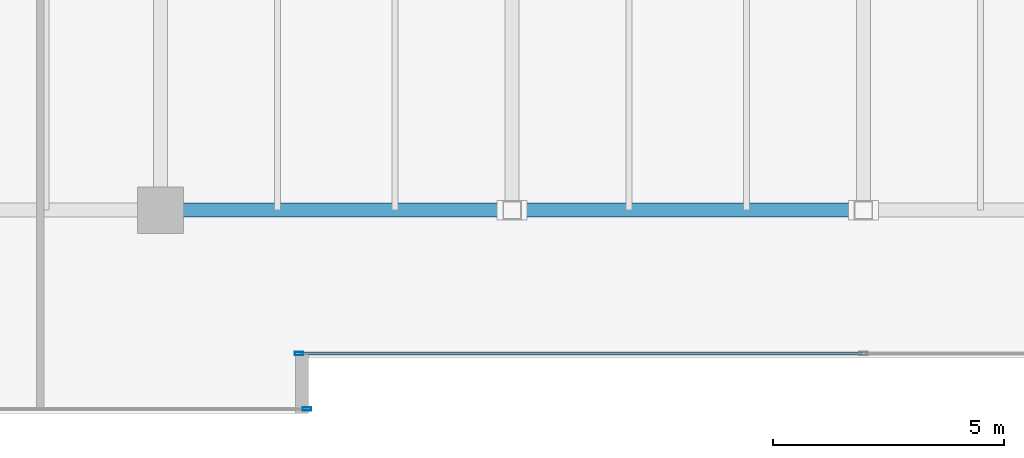
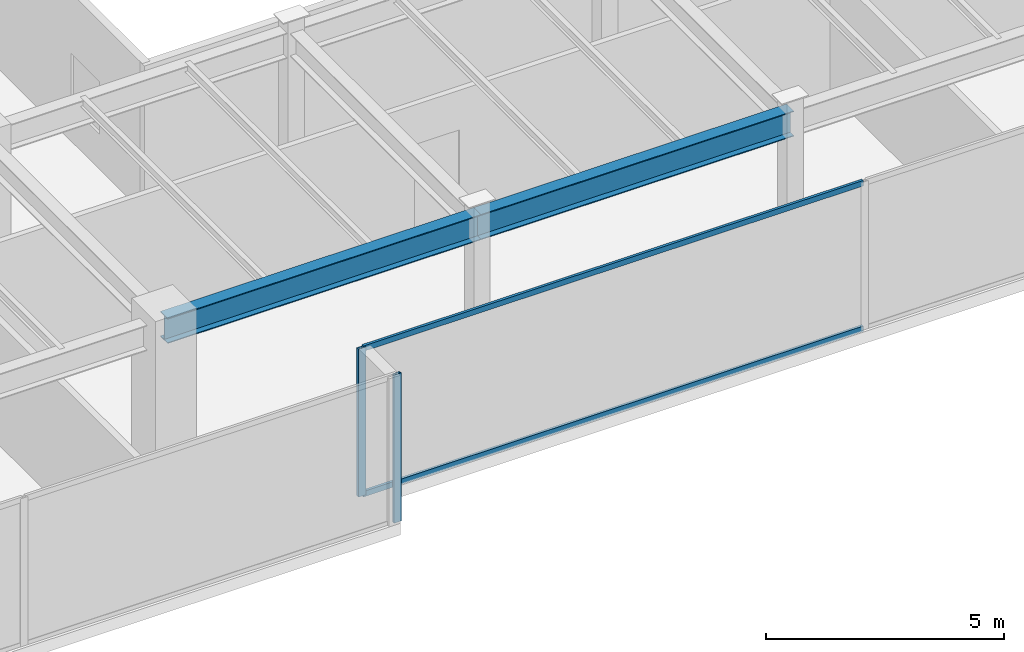
# One storey, part 7 of 33: 4 members, 2 beams, 2 elements without a shape of their own.
"""IFC4 building model written with IfcOpenShell, lengths in metres."""

from ifc_helpers import new_model, si_unit, direction, frame, origin, origin_2d, place, context, subcontext, project, spatial, hollow_rectangle, i_section, extrude, source, transform, mapped, material, layer, layer_set, material_profile, profile_set, type_object, type_shapes, element, aggregate, save


model = new_model("IFC4")

# Units and contexts
model_context = context("Model", 3, precision=1e-05, world=origin(), true_north=direction((0.0, 1.0)))
body_context = subcontext(model_context, "Body", "Model", "MODEL_VIEW")
ifc_project = project(units=[si_unit("LENGTHUNIT", "METRE"), si_unit("AREAUNIT", "SQUARE_METRE"), si_unit("VOLUMEUNIT", "CUBIC_METRE"), si_unit("PLANEANGLEUNIT", "RADIAN"), si_unit("MASSUNIT", "GRAM", prefix="KILO")], contexts=[model_context])

# Site, building, storey
site_placement = place(None, origin())
site = spatial("IfcSite", under=ifc_project, at=site_placement, CompositionType="ELEMENT")
building_placement = place(site_placement, origin())
building = spatial("IfcBuilding", under=site, at=building_placement, Name="Haelvirn Gate Laboratories", CompositionType="ELEMENT")
storey_placement = place(building_placement, frame((0.0, 0.0, 287.5)))
storey = spatial("IfcBuildingStorey", under=building, at=storey_placement, Name="L69", CompositionType="ELEMENT", Elevation=287.5)

# Beams
ifc_material_1 = material(Name="Steel SM355", Category="steel")
ifc_material_profile_1 = material_profile(ifc_material_1, i_section(OverallWidth=0.300048828125, OverallDepth=0.64990234375, WebThickness=0.012939453125, FlangeThickness=0.02197265625, at=origin_2d()), Name="H-650x300x13x22")
ifc_profile_set_1 = profile_set([ifc_material_profile_1], Name="Steel SM355")
beam_type = type_object("IfcBeamType", Name="BM-G-650", PredefinedType="BEAM", material=ifc_profile_set_1)
shared_shape_1 = source(origin(), body_context, "Body", "SweptSolid", [
    extrude(i_section(OverallWidth=0.300048828125, OverallDepth=0.64990234375, WebThickness=0.012939453125, FlangeThickness=0.02197265625, at=origin_2d()), origin(), (0.0, 0.0, 1.0), 7.60009765625),
])
beam_1_placement = place(storey_placement, frame((22.199951171875, 7.0, 3.47509765625), z_axis=(1.0, 0.0, 0.0), x_axis=(0.0, 1.0, 0.0)))
element("IfcBeam", 1, at=beam_1_placement, inside=storey, type_object=beam_type, Name="L69 Primary Girder Y7.0 (22.2-29.8)", PredefinedType="BEAM", context=body_context, shape_type="MappedRepresentation", body=[
    mapped(shared_shape_1, transform((0.0, 0.0, 0.0), scale=1.0)),
])
shared_shape_2 = source(origin(), body_context, "Body", "SweptSolid", [
    extrude(i_section(OverallWidth=0.300048828125, OverallDepth=0.64990234375, WebThickness=0.012939453125, FlangeThickness=0.02197265625, at=origin_2d()), origin(), (0.0, 0.0, 1.0), 7.599853515625),
])
type_shapes(beam_type, [shared_shape_1, shared_shape_2])
beam_2_placement = place(storey_placement, frame((29.800048828125, 7.0, 3.47509765625), z_axis=(1.0, 0.0, 0.0), x_axis=(0.0, 1.0, 0.0)))
element("IfcBeam", 2, at=beam_2_placement, inside=storey, type_object=beam_type, Name="L69 Primary Girder Y7.0 (29.8-37.4)", PredefinedType="BEAM", context=body_context, shape_type="MappedRepresentation", body=[
    mapped(shared_shape_2, transform((0.0, 0.0, 0.0), scale=1.0)),
])

# Curtain wall, members
ifc_material_2 = material(Name="Anodised bronze unitised aluminium & triple low-E glass", Category="aluminium")
ifc_layer = layer(ifc_material_2, 0.176025390625, Name="CW-SYS-4")
ifc_layer_set = layer_set([ifc_layer], Name="Anodised bronze unitised aluminium & triple low-E glass")
curtain_wall_type = type_object("IfcCurtainWallType", Name="CW-SYS-4", PredefinedType="NOTDEFINED", material=ifc_layer_set)
curtain_wall_1_placement = place(storey_placement, origin())
curtain_wall_1 = element("IfcCurtainWall", 3, at=curtain_wall_1_placement, inside=storey, type_object=curtain_wall_type, Name="L69 Unitised Curtain Wall CW-L69-P0-E02-1", PredefinedType="NOTDEFINED")
ifc_material_3 = material(Name="Extruded aluminium 6063-T6 (anodised bronze)", Category="aluminium")
ifc_material_profile_2 = material_profile(ifc_material_3, hollow_rectangle(XDim=0.06494140625, YDim=0.139892578125, WallThickness=0.00390625, at=origin_2d()), Name="CWT-140x65x4")
ifc_profile_set_2 = profile_set([ifc_material_profile_2], Name="Extruded aluminium 6063-T6 (anodised bronze)")
member_type_1 = type_object("IfcMemberType", Name="CWT-T140", PredefinedType="USERDEFINED", material=ifc_profile_set_2)
shared_shape_3 = source(origin(), body_context, "Body", "SweptSolid", [
    extrude(hollow_rectangle(XDim=0.06494140625, YDim=0.139892578125, WallThickness=0.00390625, at=origin_2d()), origin(), (0.0, 0.0, 1.0), 12.135009765625),
])
type_shapes(member_type_1, [shared_shape_3])
member_1_placement = place(storey_placement, frame((25.22998046875, 3.89990234375, 0.032470703125), z_axis=(1.0, 0.0, 0.0), x_axis=(0.0, 1.0, 0.0)))
member_1 = element("IfcMember", 4, at=member_1_placement, type_object=member_type_1, Name="CW4 transom 1.1", ObjectType="TRANSOM", PredefinedType="USERDEFINED", context=body_context, shape_type="MappedRepresentation", body=[
    mapped(shared_shape_3, transform((0.0, 0.0, 0.0), scale=1.0)),
])
member_2_placement = place(storey_placement, frame((25.22998046875, 3.89990234375, 3.767578125), z_axis=(1.0, 0.0, 0.0), x_axis=(0.0, 1.0, 0.0)))
member_2 = element("IfcMember", 5, at=member_2_placement, type_object=member_type_1, Name="CW4 transom 1.2", ObjectType="TRANSOM", PredefinedType="USERDEFINED", context=body_context, shape_type="MappedRepresentation", body=[
    mapped(shared_shape_3, transform((0.0, 0.0, 0.0), scale=1.0)),
])

# Curtain wall, member
curtain_wall_2_placement = place(storey_placement, origin())
curtain_wall_2 = element("IfcCurtainWall", 6, at=curtain_wall_2_placement, inside=storey, type_object=curtain_wall_type, Name="L69 Unitised Curtain Wall CW-L69-P0-E00-1", PredefinedType="NOTDEFINED")
ifc_material_profile_3 = material_profile(ifc_material_3, hollow_rectangle(XDim=0.070068359375, YDim=0.179931640625, WallThickness=0.0048828125, at=origin_2d()), Name="CWM-180x70x5")
ifc_profile_set_3 = profile_set([ifc_material_profile_3], Name="Extruded aluminium 6063-T6 (anodised bronze)")
member_type_2 = type_object("IfcMemberType", Name="CWM-T180", PredefinedType="MULLION", material=ifc_profile_set_3)
shared_shape_4 = source(origin(), body_context, "Body", "SweptSolid", [
    extrude(hollow_rectangle(XDim=0.070068359375, YDim=0.179931640625, WallThickness=0.0048828125, at=origin_2d()), origin(), (0.0, 0.0, 1.0), 3.800048828125),
])
type_shapes(member_type_2, [shared_shape_4])
member_3_placement = place(storey_placement, frame((25.364990234375, 2.699951171875, 0.0), z_axis=(0.0, 0.0, 1.0), x_axis=(0.0, 1.0, 0.0)))
member_3 = element("IfcMember", 7, at=member_3_placement, type_object=member_type_2, Name="CW4 mullion 3", PredefinedType="MULLION", context=body_context, shape_type="MappedRepresentation", body=[
    mapped(shared_shape_4, transform((0.0, 0.0, 0.0), scale=1.0)),
])
aggregate(curtain_wall_2, [member_3])

# Member
member_4_placement = place(storey_placement, frame((25.195068359375, 3.89990234375, 0.0), z_axis=(0.0, 0.0, 1.0), x_axis=(0.0, 1.0, 0.0)))
member_4 = element("IfcMember", 8, at=member_4_placement, type_object=member_type_2, Name="CW4 mullion 1", PredefinedType="MULLION", context=body_context, shape_type="MappedRepresentation", body=[
    mapped(shared_shape_4, transform((0.0, 0.0, 0.0), scale=1.0)),
])

aggregate(curtain_wall_1, [member_4, member_1, member_2])

save(model, "model.ifc")
